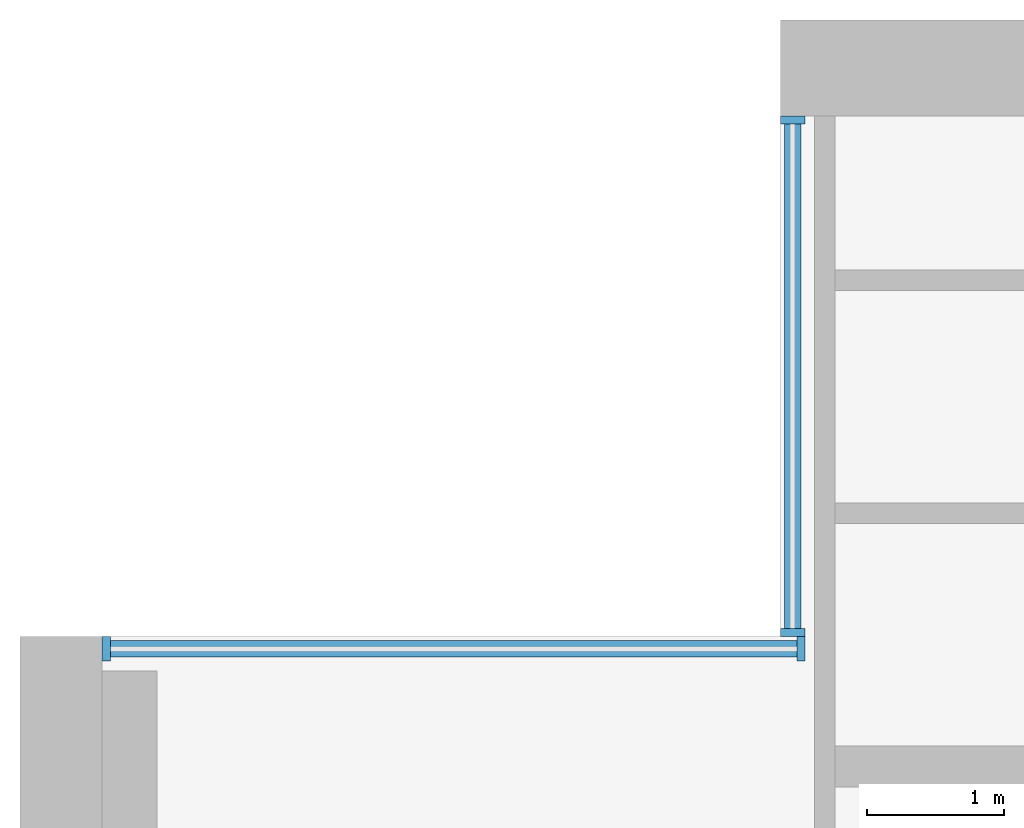
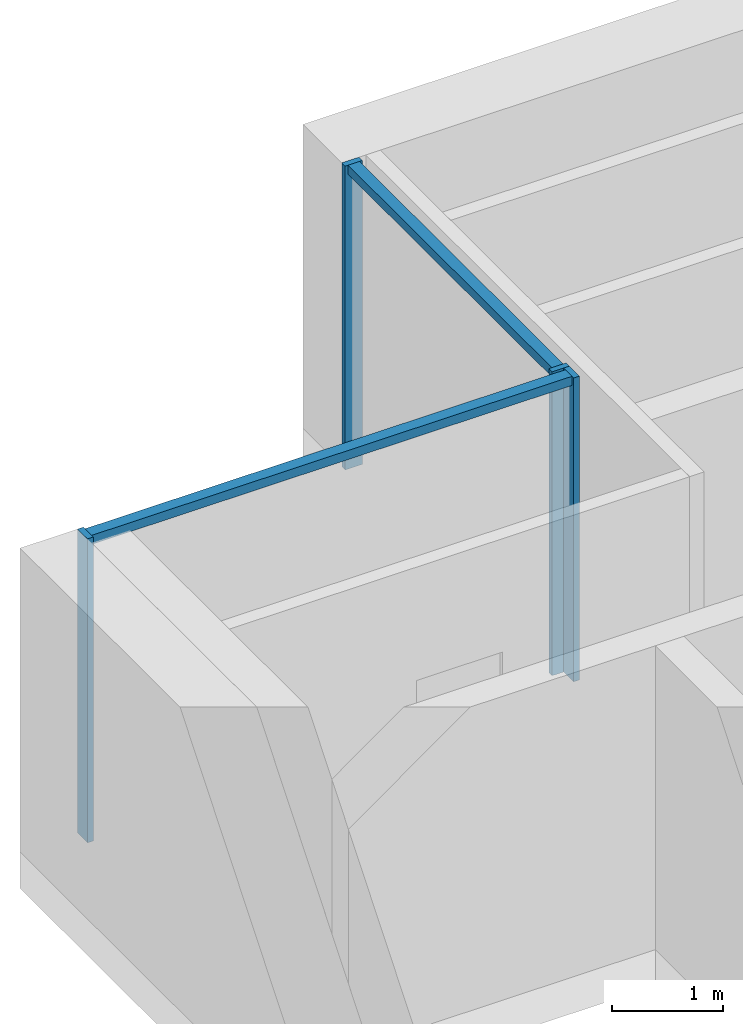
# One storey, part 4 of 17: 6 members, 2 elements without a shape of their own.
"""IFC4 building model written with IfcOpenShell, lengths in metres."""

from ifc_helpers import new_model, si_unit, direction, frame, origin, origin_2d, place, context, subcontext, project, spatial, rectangle, extrude, material, material_profile, profile_set, type_object, element, aggregate, save


model = new_model("IFC4")

# Units and contexts
model_context = context("Model", 3, precision=1e-05, world=origin(), true_north=direction((0.0, 1.0)))
body_context = subcontext(model_context, "Body", "Model", "MODEL_VIEW")
ifc_project = project(units=[si_unit("LENGTHUNIT", "METRE"), si_unit("AREAUNIT", "SQUARE_METRE"), si_unit("VOLUMEUNIT", "CUBIC_METRE"), si_unit("PLANEANGLEUNIT", "RADIAN"), si_unit("MASSUNIT", "GRAM", prefix="KILO")], contexts=[model_context])

# Site, building, storey
site_placement = place(None, origin())
site = spatial("IfcSite", under=ifc_project, at=site_placement, CompositionType="ELEMENT")
building_placement = place(site_placement, origin())
building = spatial("IfcBuilding", under=site, at=building_placement, Name="Calvaro Tower", CompositionType="ELEMENT")
storey_placement = place(building_placement, frame((0.0, 0.0, 211.75)))
storey = spatial("IfcBuildingStorey", under=building, at=storey_placement, Name="L53", CompositionType="ELEMENT", Elevation=211.75)

# Curtain wall, members
ifc_material_1 = material(Name="Anodised aluminium", Category="aluminium")
curtain_wall_type = type_object("IfcCurtainWallType", Name="Office curtain wall, upper zone", PredefinedType="NOTDEFINED", material=ifc_material_1)
curtain_wall_1_placement = place(storey_placement, origin())
curtain_wall_1 = element("IfcCurtainWall", 1, at=curtain_wall_1_placement, inside=storey, type_object=curtain_wall_type, Name="CW3 corner curtain wall", PredefinedType="NOTDEFINED")
ifc_material_2 = material(Name="Anodised aluminium", Category="aluminium")
ifc_material_profile_1 = material_profile(ifc_material_2, rectangle(XDim=0.179931640625, YDim=0.06005859375, at=origin_2d()), Name="Mullion S3 60 x 180")
ifc_profile_set_1 = profile_set([ifc_material_profile_1], Name="Anodised aluminium")
member_type_1 = type_object("IfcMemberType", Name="Mullion S3 60 x 180", PredefinedType="MULLION", material=ifc_profile_set_1)
member_1_placement = place(storey_placement, frame((11.639892578125, 41.530029296875, 0.0), z_axis=(0.0, 0.0, 1.0), x_axis=(-1.0, 0.0, 0.0)))
member_1 = element("IfcMember", 2, at=member_1_placement, type_object=member_type_1, Name="CW3 mullion 1", PredefinedType="MULLION", context=body_context, shape_type="SweptSolid", body=[
    extrude(rectangle(XDim=0.179931640625, YDim=0.06005859375, at=origin_2d()), origin(), (0.0, 0.0, 1.0), 3.35009765625),
])
member_2_placement = place(storey_placement, frame((11.639892578125, 45.27001953125, 0.0), z_axis=(0.0, 0.0, 1.0), x_axis=(-1.0, 0.0, 0.0)))
member_2 = element("IfcMember", 3, at=member_2_placement, type_object=member_type_1, Name="CW3 mullion 2", PredefinedType="MULLION", context=body_context, shape_type="SweptSolid", body=[
    extrude(rectangle(XDim=0.179931640625, YDim=0.06005859375, at=origin_2d()), origin(), (0.0, 0.0, 1.0), 3.35009765625),
])

curtain_wall_2_placement = place(storey_placement, origin())
curtain_wall_2 = element("IfcCurtainWall", 4, at=curtain_wall_2_placement, inside=storey, type_object=curtain_wall_type, Name="CW3 corner curtain wall", PredefinedType="NOTDEFINED")
member_3_placement = place(storey_placement, frame((6.6298828125, 41.409912109375, 0.0), z_axis=(0.0, 0.0, 1.0), x_axis=(0.0, 1.0, 0.0)))
member_3 = element("IfcMember", 5, at=member_3_placement, type_object=member_type_1, Name="CW3 mullion 1", PredefinedType="MULLION", context=body_context, shape_type="SweptSolid", body=[
    extrude(rectangle(XDim=0.179931640625, YDim=0.06005859375, at=origin_2d()), origin(), (0.0, 0.0, 1.0), 3.35009765625),
])
member_4_placement = place(storey_placement, frame((11.699951171875, 41.409912109375, 0.0), z_axis=(0.0, 0.0, 1.0), x_axis=(0.0, 1.0, 0.0)))
member_4 = element("IfcMember", 6, at=member_4_placement, type_object=member_type_1, Name="CW3 mullion 2", PredefinedType="MULLION", context=body_context, shape_type="SweptSolid", body=[
    extrude(rectangle(XDim=0.179931640625, YDim=0.06005859375, at=origin_2d()), origin(), (0.0, 0.0, 1.0), 3.35009765625),
])

# Member
ifc_material_3 = material(Name="Anodised aluminium", Category="aluminium")
ifc_material_profile_2 = material_profile(ifc_material_3, rectangle(XDim=0.1201171875, YDim=0.10009765625, at=origin_2d()), Name="Transom S3 100 x 120")
ifc_profile_set_2 = profile_set([ifc_material_profile_2], Name="Anodised aluminium")
member_type_2 = type_object("IfcMemberType", Name="Transom S3 100 x 120", PredefinedType="USERDEFINED", material=ifc_profile_set_2)
member_5_placement = place(storey_placement, frame((11.639892578125, 41.56005859375, 3.300048828125), z_axis=(0.0, 1.0, 0.0), x_axis=(-1.0, 0.0, 0.0)))
member_5 = element("IfcMember", 7, at=member_5_placement, type_object=member_type_2, Name="CW3 transom 1.1", ObjectType="TRANSOM", PredefinedType="USERDEFINED", context=body_context, shape_type="SweptSolid", body=[
    extrude(rectangle(XDim=0.1201171875, YDim=0.10009765625, at=origin_2d()), origin(), (0.0, 0.0, 1.0), 3.679931640625),
])

aggregate(curtain_wall_1, [member_1, member_2, member_5])

member_6_placement = place(storey_placement, frame((6.659912109375, 41.409912109375, 3.300048828125), z_axis=(1.0, 0.0, 0.0), x_axis=(0.0, 1.0, 0.0)))
member_6 = element("IfcMember", 8, at=member_6_placement, type_object=member_type_2, Name="CW3 transom 1.1", ObjectType="TRANSOM", PredefinedType="USERDEFINED", context=body_context, shape_type="SweptSolid", body=[
    extrude(rectangle(XDim=0.1201171875, YDim=0.10009765625, at=origin_2d()), origin(), (0.0, 0.0, 1.0), 5.010009765625),
])

aggregate(curtain_wall_2, [member_3, member_4, member_6])

save(model, "model.ifc")
